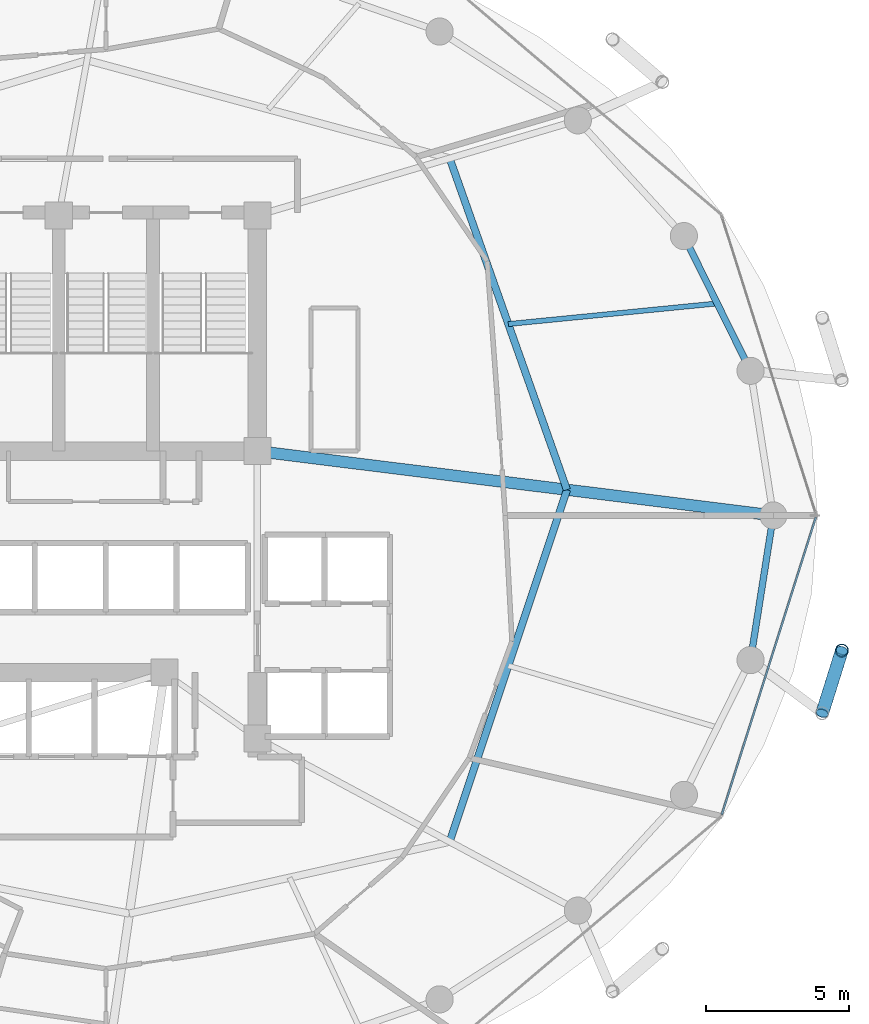
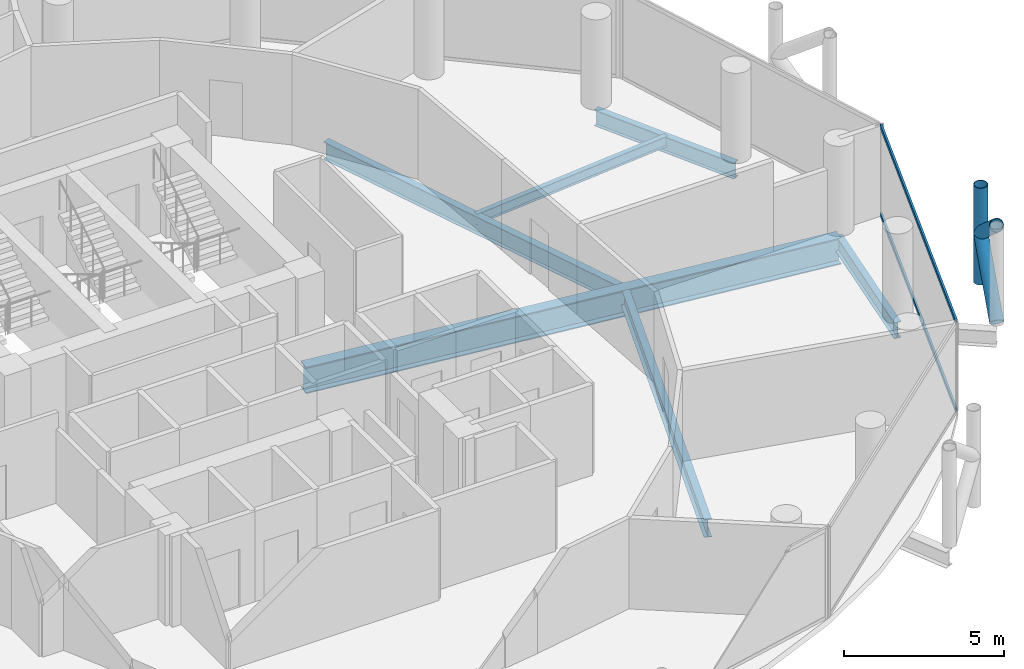
# One storey, part 11 of 27: 6 beams, 5 members, 1 element without a shape of its own.
"""IFC4 building model written with IfcOpenShell, lengths in metres."""

from ifc_helpers import new_model, si_unit, direction, frame, origin, origin_2d, place, context, subcontext, project, spatial, hollow_rectangle, hollow_circle, i_section, extrude, material, layer, layer_set, material_profile, profile_set, type_object, element, aggregate, save


model = new_model("IFC4")

# Units and contexts
model_context = context("Model", 3, precision=1e-05, world=origin(), true_north=direction((0.0, 1.0)))
body_context = subcontext(model_context, "Body", "Model", "MODEL_VIEW")
ifc_project = project(units=[si_unit("LENGTHUNIT", "METRE"), si_unit("AREAUNIT", "SQUARE_METRE"), si_unit("VOLUMEUNIT", "CUBIC_METRE"), si_unit("PLANEANGLEUNIT", "RADIAN"), si_unit("MASSUNIT", "GRAM", prefix="KILO")], contexts=[model_context])

# Site, building, storey
site_placement = place(None, origin())
site = spatial("IfcSite", under=ifc_project, at=site_placement, CompositionType="ELEMENT")
building_placement = place(site_placement, origin())
building = spatial("IfcBuilding", under=site, at=building_placement, Name="Nuhasar Tower", CompositionType="ELEMENT")
storey_placement = place(building_placement, frame((0.0, 0.0, 158.949951171875)))
storey = spatial("IfcBuildingStorey", under=building, at=storey_placement, Name="L38", CompositionType="ELEMENT", Elevation=158.949951171875)

# Beams
ifc_material_1 = material(Name="Steel S355", Category="steel")
ifc_material_profile_1 = material_profile(ifc_material_1, i_section(OverallWidth=0.25390625, OverallDepth=0.68408203125, WebThickness=0.012451171875, FlangeThickness=0.018798828125, at=origin_2d()), Name="W27X94")
ifc_profile_set_1 = profile_set([ifc_material_profile_1], Name="Steel S355")
beam_type_1 = type_object("IfcBeamType", Name="BM-INRING-W27X94", PredefinedType="BEAM", material=ifc_profile_set_1)
beam_1_placement = place(storey_placement, frame((51.027099609375, 15.385986328125, -0.592041015625), z_axis=(0.31609797573, 0.948726551615, 0.0), x_axis=(-0.948726551615, 0.31609797573, 0.0)))
element("IfcBeam", 1, at=beam_1_placement, inside=storey, type_object=beam_type_1, Name="L38 Inner Header Beam 03", PredefinedType="BEAM", context=body_context, shape_type="SweptSolid", body=[
    extrude(i_section(OverallWidth=0.25390625, OverallDepth=0.68408203125, WebThickness=0.012451171875, FlangeThickness=0.018798828125, at=origin_2d()), origin(), (0.0, 0.0, 1.0), 12.9794921875),
])
beam_2_placement = place(storey_placement, frame((55.1298828125, 27.699951171875, -0.592041015625), z_axis=(-0.333599821096, 0.942714781556, 0.0), x_axis=(-0.942714781556, -0.333599821096, 0.0)))
element("IfcBeam", 2, at=beam_2_placement, inside=storey, type_object=beam_type_1, Name="L38 Inner Header Beam 04", PredefinedType="BEAM", context=body_context, shape_type="SweptSolid", body=[
    extrude(i_section(OverallWidth=0.25390625, OverallDepth=0.68408203125, WebThickness=0.012451171875, FlangeThickness=0.018798828125, at=origin_2d()), origin(), (0.0, 0.0, 1.0), 12.298583984375),
])
ifc_material_profile_2 = material_profile(ifc_material_1, i_section(OverallWidth=0.177978515625, OverallDepth=0.406005859375, WebThickness=0.0078125, FlangeThickness=0.0126953125, at=origin_2d()), Name="W16X40")
ifc_profile_set_2 = profile_set([ifc_material_profile_2], Name="Steel S355")
beam_type_2 = type_object("IfcBeamType", Name="BM-JST-W16X40", PredefinedType="JOIST", material=ifc_profile_set_2)
beam_3_placement = place(storey_placement, frame((53.0791015625, 33.4970703125, -0.452880859375), z_axis=(0.995170244515, 0.098164068947, 0.0), x_axis=(-0.098164068947, 0.995170244515, 0.0)))
element("IfcBeam", 3, at=beam_3_placement, inside=storey, type_object=beam_type_2, Name="L38 Secondary Floor Joist 04", PredefinedType="JOIST", context=body_context, shape_type="SweptSolid", body=[
    extrude(i_section(OverallWidth=0.177978515625, OverallDepth=0.406005859375, WebThickness=0.0078125, FlangeThickness=0.0126953125, at=origin_2d()), origin(), (0.0, 0.0, 1.0), 7.34423828125),
])
ifc_material_profile_3 = material_profile(ifc_material_1, i_section(OverallWidth=0.22998046875, OverallDepth=0.616943359375, WebThickness=0.01318359375, FlangeThickness=0.022216796875, at=origin_2d()), Name="W24X94")
ifc_profile_set_3 = profile_set([ifc_material_profile_3], Name="Steel S355")
beam_type_3 = type_object("IfcBeamType", Name="BM-RING-W24X94", PredefinedType="SPANDREL", material=ifc_profile_set_3)
beam_4_placement = place(storey_placement, frame((61.553955078125, 31.860107421875, -0.558837890625), z_axis=(-0.443347771709, 0.896349682501, 0.0), x_axis=(-0.896349682501, -0.443347771709, 0.0)))
element("IfcBeam", 4, at=beam_4_placement, inside=storey, type_object=beam_type_3, Name="L38 Perimeter Ring Spandrel 02", PredefinedType="SPANDREL", context=body_context, shape_type="SweptSolid", body=[
    extrude(i_section(OverallWidth=0.22998046875, OverallDepth=0.616943359375, WebThickness=0.01318359375, FlangeThickness=0.022216796875, at=origin_2d()), origin(), (0.0, 0.0, 1.0), 5.260009765625),
])
beam_5_placement = place(storey_placement, frame((61.553955078125, 21.739990234375, -0.558837890625), z_axis=(0.155426543608, 0.987847452566, 0.0), x_axis=(-0.987847452566, 0.155426543608, 0.0)))
element("IfcBeam", 5, at=beam_5_placement, inside=storey, type_object=beam_type_3, Name="L38 Perimeter Ring Spandrel 24", PredefinedType="SPANDREL", context=body_context, shape_type="SweptSolid", body=[
    extrude(i_section(OverallWidth=0.22998046875, OverallDepth=0.616943359375, WebThickness=0.01318359375, FlangeThickness=0.022216796875, at=origin_2d()), origin(), (0.0, 0.0, 1.0), 5.122314453125),
])
ifc_material_2 = material(Name="Steel S460", Category="steel")
ifc_material_profile_4 = material_profile(ifc_material_2, i_section(OverallWidth=0.40087890625, OverallDepth=1.010009765625, WebThickness=0.023681640625, FlangeThickness=0.0419921875, at=origin_2d()), Name="W40X297")
ifc_profile_set_4 = profile_set([ifc_material_profile_4], Name="Steel S460")
beam_type_4 = type_object("IfcBeamType", Name="BM-XFER-W40X297", PredefinedType="USERDEFINED", material=ifc_profile_set_4)
beam_6_placement = place(storey_placement, frame((44.300048828125, 29.050048828125, -0.7548828125), z_axis=(0.992320149485, -0.123696082908, 0.0), x_axis=(0.123696082908, 0.992320149485, 0.0)))
element("IfcBeam", 6, at=beam_6_placement, inside=storey, type_object=beam_type_4, Name="L38 Radial Floor Girder 04", ObjectType="GIRDER", PredefinedType="USERDEFINED", context=body_context, shape_type="SweptSolid", body=[
    extrude(i_section(OverallWidth=0.40087890625, OverallDepth=1.010009765625, WebThickness=0.023681640625, FlangeThickness=0.0419921875, at=origin_2d()), origin(), (0.0, 0.0, 1.0), 18.189697265625),
])

# Curtain wall, members
ifc_material_3 = material(Name="Aluminium 6063-T6", Category="aluminium")
ifc_layer = layer(ifc_material_3, 0.199951171875)
ifc_layer_set = layer_set([ifc_layer], Name="Aluminium 6063-T6")
curtain_wall_type = type_object("IfcCurtainWallType", Name="CW-Z2-HTL", PredefinedType="NOTDEFINED", material=ifc_layer_set)
curtain_wall_placement = place(storey_placement, origin())
curtain_wall = element("IfcCurtainWall", 7, at=curtain_wall_placement, inside=storey, type_object=curtain_wall_type, Name="L38 Unitised Curtain Wall 12", PredefinedType="NOTDEFINED")
ifc_material_profile_5 = material_profile(ifc_material_3, hollow_rectangle(XDim=0.070068359375, YDim=0.159912109375, WallThickness=0.00439453125, at=origin_2d()), Name="CWT-3")
ifc_profile_set_5 = profile_set([ifc_material_profile_5], Name="Aluminium 6063-T6")
member_type_1 = type_object("IfcMemberType", Name="CW-TRN-S3", PredefinedType="USERDEFINED", material=ifc_profile_set_5)
member_1_placement = place(storey_placement, frame((60.550048828125, 16.336669921875, 0.03515625), z_axis=(0.301608163352, 0.953431967053, 0.0), x_axis=(-0.953431967053, 0.301608163352, 0.0)))
member_1 = element("IfcMember", 8, at=member_1_placement, type_object=member_type_1, Name="CW-Z2 transom 1.1", ObjectType="TRANSOM", PredefinedType="USERDEFINED", context=body_context, shape_type="SweptSolid", body=[
    extrude(hollow_rectangle(XDim=0.070068359375, YDim=0.159912109375, WallThickness=0.00439453125, at=origin_2d()), origin(), (0.0, 0.0, 1.0), 10.904296875),
])
member_2_placement = place(storey_placement, frame((60.550048828125, 16.336669921875, 3.4150390625), z_axis=(0.301608163352, 0.953431967053, 0.0), x_axis=(-0.953431967053, 0.301608163352, 0.0)))
member_2 = element("IfcMember", 9, at=member_2_placement, type_object=member_type_1, Name="CW-Z2 transom 1.2", ObjectType="TRANSOM", PredefinedType="USERDEFINED", context=body_context, shape_type="SweptSolid", body=[
    extrude(hollow_rectangle(XDim=0.070068359375, YDim=0.159912109375, WallThickness=0.00439453125, at=origin_2d()), origin(), (0.0, 0.0, 1.0), 10.904296875),
])
aggregate(curtain_wall, [member_1, member_2])

# Members
ifc_material_profile_6 = material_profile(ifc_material_2, hollow_circle(Radius=0.228515625, WallThickness=0.022216796875, at=origin_2d()), Name="HSS457X22.2")
ifc_profile_set_6 = profile_set([ifc_material_profile_6], Name="Steel S460")
member_type_2 = type_object("IfcMemberType", Name="EXO-BRONZE-457", PredefinedType="BRACE", material=ifc_profile_set_6)
member_3_placement = place(storey_placement, frame((64.748046875, 22.073974609375, 0.0), z_axis=(0.0, 0.0, 1.0), x_axis=(1.0, 0.0, 0.0)))
element("IfcMember", 10, at=member_3_placement, inside=storey, type_object=member_type_2, Name="L38 Exoskeleton Chord Column EC-12B", PredefinedType="BRACE", context=body_context, shape_type="SweptSolid", body=[
    extrude(hollow_circle(Radius=0.228515625, WallThickness=0.022216796875, at=origin_2d()), origin(), (0.0, 0.0, 1.0), 3.699951171875),
])
member_4_placement = place(storey_placement, frame((64.06005859375, 19.87890625, 0.0), z_axis=(0.233055548538, 0.743577869731, 0.626719285599), x_axis=(-0.954228474306, 0.29907861646, 0.0)))
element("IfcMember", 11, at=member_4_placement, inside=storey, type_object=member_type_2, Name="L38 Bronze Diagrid Brace W1-12", PredefinedType="BRACE", context=body_context, shape_type="SweptSolid", body=[
    extrude(hollow_circle(Radius=0.228515625, WallThickness=0.022216796875, at=origin_2d()), origin(), (0.0, 0.0, 1.0), 2.9521484375),
])
member_5_placement = place(storey_placement, frame((64.748046875, 22.073974609375, 1.85009765625), z_axis=(-0.233067628236, -0.74361641074, 0.626669062861), x_axis=(0.954228474306, -0.29907861646, 0.0)))
element("IfcMember", 12, at=member_5_placement, inside=storey, type_object=member_type_2, Name="L38 Bronze Diagrid Brace W2-12", PredefinedType="BRACE", context=body_context, shape_type="SweptSolid", body=[
    extrude(hollow_circle(Radius=0.228515625, WallThickness=0.022216796875, at=origin_2d()), origin(), (0.0, 0.0, 1.0), 2.951904296875),
])

save(model, "model.ifc")
